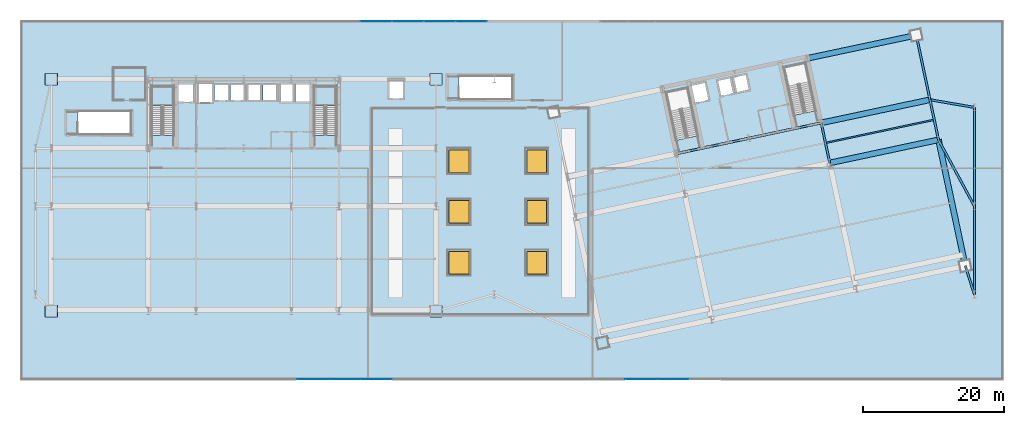
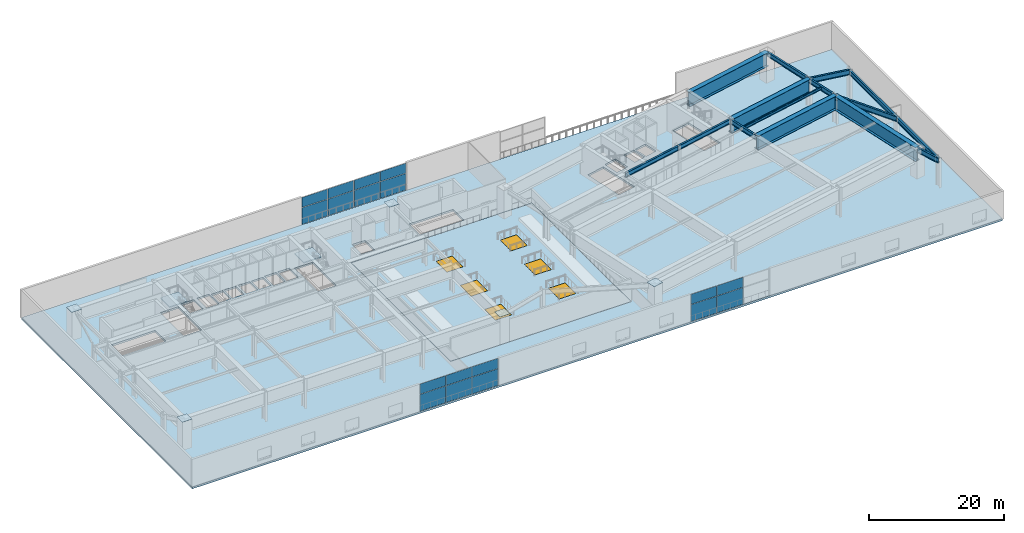
# One storey, part 14 of 29: 23 plates, 15 beams, 6 windows, 4 slabs, 6 openings, 6 elements without a shape of their own.
"""IFC4 building model written with IfcOpenShell, lengths in metres."""

from ifc_helpers import new_model, si_unit, direction, frame, origin, origin_2d, place, context, subcontext, project, spatial, polyline, rectangle, i_section, outline, extrude, material, layer, layer_set, material_profile, profile_set, type_object, element, fill, aggregate, save


model = new_model("IFC4")

# Units and contexts
model_context = context("Model", 3, precision=1e-05, world=origin(), true_north=direction((0.0, 1.0)))
body_context = subcontext(model_context, "Body", "Model", "MODEL_VIEW")
ifc_project = project(units=[si_unit("LENGTHUNIT", "METRE"), si_unit("AREAUNIT", "SQUARE_METRE"), si_unit("VOLUMEUNIT", "CUBIC_METRE"), si_unit("PLANEANGLEUNIT", "RADIAN"), si_unit("MASSUNIT", "GRAM", prefix="KILO")], contexts=[model_context])

# Site, building, storey
site_placement = place(None, origin())
site = spatial("IfcSite", under=ifc_project, at=site_placement, CompositionType="ELEMENT")
building_placement = place(site_placement, origin())
building = spatial("IfcBuilding", under=site, at=building_placement, Name="Haevon Station Towers", CompositionType="ELEMENT")
storey_placement = place(building_placement, frame((0.0, 0.0, 25.199951171875)))
storey = spatial("IfcBuildingStorey", under=building, at=storey_placement, Name="L05", CompositionType="ELEMENT", Elevation=25.199951171875)

# Beams
ifc_material_1 = material(Name="Steel S355", Category="steel")
ifc_material_profile_1 = material_profile(ifc_material_1, i_section(OverallWidth=0.199951171875, OverallDepth=0.449951171875, WebThickness=0.009033203125, FlangeThickness=0.013916015625, at=origin_2d()), Name="H-450x200x9x14")
ifc_profile_set_1 = profile_set([ifc_material_profile_1], Name="Steel S355")
beam_type_1 = type_object("IfcBeamType", Name="BM-J450", PredefinedType="JOIST", material=ifc_profile_set_1)
beam_1_placement = place(storey_placement, frame((120.00390625, 38.994873046875, 4.925048828125), z_axis=(0.978149141128, 0.207904443699, 0.0), x_axis=(-0.207904443699, 0.978149141128, 0.0)))
element("IfcBeam", 1, at=beam_1_placement, inside=storey, type_object=beam_type_1, Name="BM-T2J-L05-02-03", PredefinedType="JOIST", context=body_context, shape_type="SweptSolid", body=[
    extrude(i_section(OverallWidth=0.199951171875, OverallDepth=0.449951171875, WebThickness=0.009033203125, FlangeThickness=0.013916015625, at=origin_2d()), origin(), (0.0, 0.0, 1.0), 15.530029296875),
])
ifc_material_profile_2 = material_profile(ifc_material_1, i_section(OverallWidth=0.300048828125, OverallDepth=0.800048828125, WebThickness=0.013916015625, FlangeThickness=0.02587890625, at=origin_2d()), Name="H-800x300x14x26")
ifc_profile_set_2 = profile_set([ifc_material_profile_2], Name="Steel S355")
beam_type_2 = type_object("IfcBeamType", Name="BM-PG800", PredefinedType="BEAM", material=ifc_profile_set_2)
for number, where, z_axis, x_axis, name in (
    (2, (98.75244140625, 37.4423828125, 4.75), (0.978146794194, 0.207915485254, 0.0), (-0.207915485254, 0.978146794194, 0.0), "BM-T2U-L05-03-02"),
    (3, (109.02294921875, 39.62548828125, 4.75), (0.978146794194, 0.207915485254, 0.0), (-0.207915485254, 0.978146794194, 0.0), "BM-T2U-L05-03-03"),
):
    element("IfcBeam", number, at=place(storey_placement, frame(where, z_axis=z_axis, x_axis=x_axis)), inside=storey, type_object=beam_type_2, Name=name, PredefinedType="BEAM", context=body_context, shape_type="SweptSolid", body=[
        extrude(i_section(OverallWidth=0.300048828125, OverallDepth=0.800048828125, WebThickness=0.013916015625, FlangeThickness=0.02587890625, at=origin_2d()), origin(), (0.0, 0.0, 1.0), 10.5),
    ])
for number, where, z_axis, x_axis, name in (
    (4, (120.499267578125, 36.13525390625, 4.75), (-0.207896009217, 0.97815093383, 0.0), (-0.97815093383, -0.207896009217, 0.0), "BM-T2V-L05-04-02"),
    (5, (135.9052734375, 39.409912109375, 4.75), (-0.207936282142, 0.978142373363, 0.0), (-0.978142373363, -0.207936282142, 0.0), "BM-T2V-L05-05-02"),
):
    element("IfcBeam", number, at=place(storey_placement, frame(where, z_axis=z_axis, x_axis=x_axis)), inside=storey, type_object=beam_type_2, Name=name, PredefinedType="BEAM", context=body_context, shape_type="SweptSolid", body=[
        extrude(i_section(OverallWidth=0.300048828125, OverallDepth=0.800048828125, WebThickness=0.013916015625, FlangeThickness=0.02587890625, at=origin_2d()), origin(), (0.0, 0.0, 1.0), 5.800048828125),
    ])
beam_2_placement = place(storey_placement, frame((134.69921875, 45.083251953125, 4.75), z_axis=(-0.207902477038, 0.978149559138, 0.0), x_axis=(-0.978149559138, -0.207902477038, 0.0)))
element("IfcBeam", 6, at=beam_2_placement, inside=storey, type_object=beam_type_2, Name="BM-T2V-L05-05-03", PredefinedType="BEAM", context=body_context, shape_type="SweptSolid", body=[
    extrude(i_section(OverallWidth=0.300048828125, OverallDepth=0.800048828125, WebThickness=0.013916015625, FlangeThickness=0.02587890625, at=origin_2d()), origin(), (0.0, 0.0, 1.0), 9.349853515625),
])
beam_3_placement = place(storey_placement, frame((141.0, 17.5, 4.75), z_axis=(0.0, 1.0, 0.0), x_axis=(-1.0, 0.0, 0.0)))
element("IfcBeam", 7, at=beam_3_placement, inside=storey, type_object=beam_type_2, Name="BM-PODNS-L05-E1", PredefinedType="BEAM", context=body_context, shape_type="SweptSolid", body=[
    extrude(i_section(OverallWidth=0.300048828125, OverallDepth=0.800048828125, WebThickness=0.013916015625, FlangeThickness=0.02587890625, at=origin_2d()), origin(), (0.0, 0.0, 1.0), 12.5),
])
beam_4_placement = place(storey_placement, frame((141.0, 30.0, 4.75), z_axis=(0.0, 1.0, 0.0), x_axis=(-1.0, 0.0, 0.0)))
element("IfcBeam", 8, at=beam_4_placement, inside=storey, type_object=beam_type_2, Name="BM-PODNS-L05-E2", PredefinedType="BEAM", context=body_context, shape_type="SweptSolid", body=[
    extrude(i_section(OverallWidth=0.300048828125, OverallDepth=0.800048828125, WebThickness=0.013916015625, FlangeThickness=0.02587890625, at=origin_2d()), origin(), (0.0, 0.0, 1.0), 14.0),
])
ifc_material_profile_3 = material_profile(ifc_material_1, i_section(OverallWidth=0.300048828125, OverallDepth=0.89990234375, WebThickness=0.01611328125, FlangeThickness=0.028076171875, at=origin_2d()), Name="H-900x300x16x28")
ifc_profile_set_3 = profile_set([ifc_material_profile_3], Name="Steel S355")
beam_type_3 = type_object("IfcBeamType", Name="BM-PG900", PredefinedType="BEAM", material=ifc_profile_set_3)
beam_5_placement = place(storey_placement, frame((139.699462890625, 21.558837890625, 4.699951171875), z_axis=(0.305139430983, -0.952307685393, 0.0), x_axis=(0.952307685393, 0.305139430983, 0.0)))
element("IfcBeam", 9, at=beam_5_placement, inside=storey, type_object=beam_type_3, Name="BM-PODE-L05-1", PredefinedType="BEAM", context=body_context, shape_type="SweptSolid", body=[
    extrude(i_section(OverallWidth=0.300048828125, OverallDepth=0.89990234375, WebThickness=0.01611328125, FlangeThickness=0.028076171875, at=origin_2d()), origin(), (0.0, 0.0, 1.0), 4.26220703125),
])
beam_6_placement = place(storey_placement, frame((135.9052734375, 39.409912109375, 4.699951171875), z_axis=(0.476116295025, -0.879382325051, 0.0), x_axis=(0.879382325051, 0.476116295025, 0.0)))
element("IfcBeam", 10, at=beam_6_placement, inside=storey, type_object=beam_type_3, Name="BM-PODE-L05-2", PredefinedType="BEAM", context=body_context, shape_type="SweptSolid", body=[
    extrude(i_section(OverallWidth=0.300048828125, OverallDepth=0.89990234375, WebThickness=0.01611328125, FlangeThickness=0.028076171875, at=origin_2d()), origin(), (0.0, 0.0, 1.0), 10.70068359375),
])
beam_7_placement = place(storey_placement, frame((134.69921875, 45.083251953125, 4.699951171875), z_axis=(0.985540920751, -0.169437580028, 0.0), x_axis=(0.169437580028, 0.985540920751, 0.0)))
element("IfcBeam", 11, at=beam_7_placement, inside=storey, type_object=beam_type_3, Name="BM-PODE-L05-3", PredefinedType="BEAM", context=body_context, shape_type="SweptSolid", body=[
    extrude(i_section(OverallWidth=0.300048828125, OverallDepth=0.89990234375, WebThickness=0.01611328125, FlangeThickness=0.028076171875, at=origin_2d()), origin(), (0.0, 0.0, 1.0), 6.393310546875),
])
ifc_material_2 = material(Name="Steel S460", Category="steel")
ifc_material_profile_4 = material_profile(ifc_material_2, i_section(OverallWidth=0.800048828125, OverallDepth=2.5, WebThickness=0.031982421875, FlangeThickness=0.0400390625, at=origin_2d()), Name="H-2500x800x32x40")
ifc_profile_set_4 = profile_set([ifc_material_profile_4], Name="Steel S460")
beam_type_4 = type_object("IfcBeamType", Name="BM-TG2500", PredefinedType="BEAM", material=ifc_profile_set_4)
beam_8_placement = place(storey_placement, frame((120.499267578125, 36.13525390625, 3.900146484375), z_axis=(0.978147464271, 0.207912332825, 0.0), x_axis=(-0.207912332825, 0.978147464271, 0.0)))
element("IfcBeam", 12, at=beam_8_placement, inside=storey, type_object=beam_type_4, Name="BM-T2U-L05-02-04", PredefinedType="BEAM", context=body_context, shape_type="SweptSolid", body=[
    extrude(i_section(OverallWidth=0.800048828125, OverallDepth=2.5, WebThickness=0.031982421875, FlangeThickness=0.0400390625, at=origin_2d()), origin(), (0.0, 0.0, 1.0), 15.750244140625),
])
beam_9_placement = place(storey_placement, frame((119.29345703125, 41.80859375, 3.900146484375), z_axis=(0.978146794194, 0.207915485254, 0.0), x_axis=(-0.207915485254, 0.978146794194, 0.0)))
element("IfcBeam", 13, at=beam_9_placement, inside=storey, type_object=beam_type_4, Name="BM-T2U-L05-03-04", PredefinedType="BEAM", context=body_context, shape_type="SweptSolid", body=[
    extrude(i_section(OverallWidth=0.800048828125, OverallDepth=2.5, WebThickness=0.031982421875, FlangeThickness=0.0400390625, at=origin_2d()), origin(), (0.0, 0.0, 1.0), 15.75),
])
beam_10_placement = place(storey_placement, frame((117.349365234375, 50.954345703125, 3.900146484375), z_axis=(0.978150616551, 0.207897502008, 0.0), x_axis=(-0.207897502008, 0.978150616551, 0.0)))
element("IfcBeam", 14, at=beam_10_placement, inside=storey, type_object=beam_type_4, Name="BM-T2U-L05-04-04", PredefinedType="BEAM", context=body_context, shape_type="SweptSolid", body=[
    extrude(i_section(OverallWidth=0.800048828125, OverallDepth=2.5, WebThickness=0.031982421875, FlangeThickness=0.0400390625, at=origin_2d()), origin(), (0.0, 0.0, 1.0), 15.750244140625),
])
beam_11_placement = place(storey_placement, frame((139.699462890625, 21.558837890625, 3.900146484375), z_axis=(-0.207902594577, 0.978149534155, 0.0), x_axis=(-0.978149534155, -0.207902594577, 0.0)))
element("IfcBeam", 15, at=beam_11_placement, inside=storey, type_object=beam_type_4, Name="BM-T2V-L05-05-01", PredefinedType="BEAM", context=body_context, shape_type="SweptSolid", body=[
    extrude(i_section(OverallWidth=0.800048828125, OverallDepth=2.5, WebThickness=0.031982421875, FlangeThickness=0.0400390625, at=origin_2d()), origin(), (0.0, 0.0, 1.0), 18.249755859375),
])

# Curtain wall, plates
ifc_material_3 = material(Name="Anodised aluminium and Low-E double glazing", Category="aluminium")
ifc_layer_1 = layer(ifc_material_3, 0.179931640625)
ifc_layer_set_1 = layer_set([ifc_layer_1], Name="Anodised aluminium and Low-E double glazing")
curtain_wall_type = type_object("IfcCurtainWallType", Name="CW-SYS3", PredefinedType="NOTDEFINED", material=ifc_layer_set_1)
curtain_wall_1_placement = place(storey_placement, origin())
curtain_wall_1 = element("IfcCurtainWall", 16, at=curtain_wall_1_placement, inside=storey, type_object=curtain_wall_type, Name="L05 Curtain Wall CW-POD-L05-S1", PredefinedType="NOTDEFINED")
ifc_material_4 = material(Name="Low-E double glazing", Category="glass")
ifc_layer_2 = layer(ifc_material_4, 0.028076171875)
ifc_layer_set_2 = layer_set([ifc_layer_2], Name="Low-E double glazing")
plate_type_1 = type_object("IfcPlateType", Name="CWP-GLZ28", PredefinedType="CURTAIN_PANEL", material=ifc_layer_set_2)
plate_1_placement = place(storey_placement, frame((98.25, 5.5, 0.06494140625), z_axis=(0.0, 0.0, 1.0), x_axis=(-1.0, 0.0, 0.0)))
plate_1 = element("IfcPlate", 17, at=plate_1_placement, type_object=plate_type_1, Name="CW-SYS3 panel 2.1", PredefinedType="CURTAIN_PANEL", context=body_context, shape_type="SweptSolid", body=[
    extrude(rectangle(XDim=4.43505859375, YDim=0.028076171875, at=origin_2d()), origin(), (0.0, 0.0, 1.0), 3.033447265625),
])
plate_2_placement = place(storey_placement, frame((98.25, 5.5, 3.16357421875), z_axis=(0.0, 0.0, 1.0), x_axis=(-1.0, 0.0, 0.0)))
plate_2 = element("IfcPlate", 18, at=plate_2_placement, type_object=plate_type_1, Name="CW-SYS3 panel 2.2", PredefinedType="CURTAIN_PANEL", context=body_context, shape_type="SweptSolid", body=[
    extrude(rectangle(XDim=4.43505859375, YDim=0.028076171875, at=origin_2d()), origin(), (0.0, 0.0, 1.0), 1.821533203125),
])
plate_3_placement = place(storey_placement, frame((93.766357421875, 5.5, 0.06494140625), z_axis=(0.0, 0.0, 1.0), x_axis=(-1.0, 0.0, 0.0)))
plate_3 = element("IfcPlate", 19, at=plate_3_placement, type_object=plate_type_1, Name="CW-SYS3 panel 3.1", PredefinedType="CURTAIN_PANEL", context=body_context, shape_type="SweptSolid", body=[
    extrude(rectangle(XDim=4.402587890625, YDim=0.028076171875, at=origin_2d()), origin(), (0.0, 0.0, 1.0), 3.033447265625),
])
plate_4_placement = place(storey_placement, frame((93.766357421875, 5.5, 3.16357421875), z_axis=(0.0, 0.0, 1.0), x_axis=(-1.0, 0.0, 0.0)))
plate_4 = element("IfcPlate", 20, at=plate_4_placement, type_object=plate_type_1, Name="CW-SYS3 panel 3.2", PredefinedType="CURTAIN_PANEL", context=body_context, shape_type="SweptSolid", body=[
    extrude(rectangle(XDim=4.402587890625, YDim=0.028076171875, at=origin_2d()), origin(), (0.0, 0.0, 1.0), 1.821533203125),
])
aggregate(curtain_wall_1, [plate_1, plate_2, plate_3, plate_4])

curtain_wall_2_placement = place(storey_placement, origin())
curtain_wall_2 = element("IfcCurtainWall", 21, at=curtain_wall_2_placement, inside=storey, type_object=curtain_wall_type, Name="L05 Curtain Wall CW-POD-L05-S2", PredefinedType="NOTDEFINED")
plate_5_placement = place(storey_placement, frame((56.233642578125, 5.5, 0.06494140625), z_axis=(0.0, 0.0, 1.0), x_axis=(-1.0, 0.0, 0.0)))
plate_5 = element("IfcPlate", 22, at=plate_5_placement, type_object=plate_type_1, Name="CW-SYS3 panel 1.1", PredefinedType="CURTAIN_PANEL", context=body_context, shape_type="SweptSolid", body=[
    extrude(rectangle(XDim=4.402587890625, YDim=0.028076171875, at=origin_2d()), origin(), (0.0, 0.0, 1.0), 3.033447265625),
])
plate_6_placement = place(storey_placement, frame((56.233642578125, 5.5, 3.16357421875), z_axis=(0.0, 0.0, 1.0), x_axis=(-1.0, 0.0, 0.0)))
plate_6 = element("IfcPlate", 23, at=plate_6_placement, type_object=plate_type_1, Name="CW-SYS3 panel 1.2", PredefinedType="CURTAIN_PANEL", context=body_context, shape_type="SweptSolid", body=[
    extrude(rectangle(XDim=4.402587890625, YDim=0.028076171875, at=origin_2d()), origin(), (0.0, 0.0, 1.0), 1.821533203125),
])
plate_7_placement = place(storey_placement, frame((51.75, 5.5, 0.06494140625), z_axis=(0.0, 0.0, 1.0), x_axis=(-1.0, 0.0, 0.0)))
plate_7 = element("IfcPlate", 24, at=plate_7_placement, type_object=plate_type_1, Name="CW-SYS3 panel 2.1", PredefinedType="CURTAIN_PANEL", context=body_context, shape_type="SweptSolid", body=[
    extrude(rectangle(XDim=4.43505859375, YDim=0.028076171875, at=origin_2d()), origin(), (0.0, 0.0, 1.0), 3.033447265625),
])
plate_8_placement = place(storey_placement, frame((51.75, 5.5, 3.16357421875), z_axis=(0.0, 0.0, 1.0), x_axis=(-1.0, 0.0, 0.0)))
plate_8 = element("IfcPlate", 25, at=plate_8_placement, type_object=plate_type_1, Name="CW-SYS3 panel 2.2", PredefinedType="CURTAIN_PANEL", context=body_context, shape_type="SweptSolid", body=[
    extrude(rectangle(XDim=4.43505859375, YDim=0.028076171875, at=origin_2d()), origin(), (0.0, 0.0, 1.0), 1.821533203125),
])
plate_9_placement = place(storey_placement, frame((47.266357421875, 5.5, 0.06494140625), z_axis=(0.0, 0.0, 1.0), x_axis=(-1.0, 0.0, 0.0)))
plate_9 = element("IfcPlate", 26, at=plate_9_placement, type_object=plate_type_1, Name="CW-SYS3 panel 3.1", PredefinedType="CURTAIN_PANEL", context=body_context, shape_type="SweptSolid", body=[
    extrude(rectangle(XDim=4.402587890625, YDim=0.028076171875, at=origin_2d()), origin(), (0.0, 0.0, 1.0), 3.033447265625),
])
plate_10_placement = place(storey_placement, frame((47.266357421875, 5.5, 3.16357421875), z_axis=(0.0, 0.0, 1.0), x_axis=(-1.0, 0.0, 0.0)))
plate_10 = element("IfcPlate", 27, at=plate_10_placement, type_object=plate_type_1, Name="CW-SYS3 panel 3.2", PredefinedType="CURTAIN_PANEL", context=body_context, shape_type="SweptSolid", body=[
    extrude(rectangle(XDim=4.402587890625, YDim=0.028076171875, at=origin_2d()), origin(), (0.0, 0.0, 1.0), 1.821533203125),
])
aggregate(curtain_wall_2, [plate_5, plate_6, plate_7, plate_8, plate_9, plate_10])

curtain_wall_3_placement = place(storey_placement, origin())
curtain_wall_3 = element("IfcCurtainWall", 28, at=curtain_wall_3_placement, inside=storey, type_object=curtain_wall_type, Name="L05 Curtain Wall CW-POD-L05-N1", PredefinedType="NOTDEFINED")
plate_11_placement = place(storey_placement, frame((56.266357421875, 56.199951171875, 0.065185546875), z_axis=(0.0, 0.0, 1.0), x_axis=(1.0, 0.0, 0.0)))
plate_11 = element("IfcPlate", 29, at=plate_11_placement, type_object=plate_type_1, Name="CW-SYS3 panel 1.1", PredefinedType="CURTAIN_PANEL", context=body_context, shape_type="SweptSolid", body=[
    extrude(rectangle(XDim=4.402587890625, YDim=0.028076171875, at=origin_2d()), origin(), (0.0, 0.0, 1.0), 3.00244140625),
])
plate_12_placement = place(storey_placement, frame((56.266357421875, 56.199951171875, 3.13232421875), z_axis=(0.0, 0.0, 1.0), x_axis=(1.0, 0.0, 0.0)))
plate_12 = element("IfcPlate", 30, at=plate_12_placement, type_object=plate_type_1, Name="CW-SYS3 panel 1.2", PredefinedType="CURTAIN_PANEL", context=body_context, shape_type="SweptSolid", body=[
    extrude(rectangle(XDim=4.402587890625, YDim=0.028076171875, at=origin_2d()), origin(), (0.0, 0.0, 1.0), 1.802490234375),
])
plate_13_placement = place(storey_placement, frame((60.733642578125, 56.199951171875, 0.065185546875), z_axis=(0.0, 0.0, 1.0), x_axis=(1.0, 0.0, 0.0)))
plate_13 = element("IfcPlate", 31, at=plate_13_placement, type_object=plate_type_1, Name="CW-SYS3 panel 2.1", PredefinedType="CURTAIN_PANEL", context=body_context, shape_type="SweptSolid", body=[
    extrude(rectangle(XDim=4.402587890625, YDim=0.028076171875, at=origin_2d()), origin(), (0.0, 0.0, 1.0), 3.00244140625),
])
plate_14_placement = place(storey_placement, frame((60.733642578125, 56.199951171875, 3.13232421875), z_axis=(0.0, 0.0, 1.0), x_axis=(1.0, 0.0, 0.0)))
plate_14 = element("IfcPlate", 32, at=plate_14_placement, type_object=plate_type_1, Name="CW-SYS3 panel 2.2", PredefinedType="CURTAIN_PANEL", context=body_context, shape_type="SweptSolid", body=[
    extrude(rectangle(XDim=4.402587890625, YDim=0.028076171875, at=origin_2d()), origin(), (0.0, 0.0, 1.0), 1.802490234375),
])
aggregate(curtain_wall_3, [plate_11, plate_12, plate_13, plate_14])

curtain_wall_4_placement = place(storey_placement, origin())
curtain_wall_4 = element("IfcCurtainWall", 33, at=curtain_wall_4_placement, inside=storey, type_object=curtain_wall_type, Name="L05 Curtain Wall CW-POD-L05-N2", PredefinedType="NOTDEFINED")
plate_15_placement = place(storey_placement, frame((65.266357421875, 56.199951171875, 0.065185546875), z_axis=(0.0, 0.0, 1.0), x_axis=(1.0, 0.0, 0.0)))
plate_15 = element("IfcPlate", 34, at=plate_15_placement, type_object=plate_type_1, Name="CW-SYS3 panel 1.1", PredefinedType="CURTAIN_PANEL", context=body_context, shape_type="SweptSolid", body=[
    extrude(rectangle(XDim=4.402587890625, YDim=0.028076171875, at=origin_2d()), origin(), (0.0, 0.0, 1.0), 3.00244140625),
])
plate_16_placement = place(storey_placement, frame((65.266357421875, 56.199951171875, 3.13232421875), z_axis=(0.0, 0.0, 1.0), x_axis=(1.0, 0.0, 0.0)))
plate_16 = element("IfcPlate", 35, at=plate_16_placement, type_object=plate_type_1, Name="CW-SYS3 panel 1.2", PredefinedType="CURTAIN_PANEL", context=body_context, shape_type="SweptSolid", body=[
    extrude(rectangle(XDim=4.402587890625, YDim=0.028076171875, at=origin_2d()), origin(), (0.0, 0.0, 1.0), 1.802490234375),
])
plate_17_placement = place(storey_placement, frame((69.733642578125, 56.199951171875, 0.065185546875), z_axis=(0.0, 0.0, 1.0), x_axis=(1.0, 0.0, 0.0)))
plate_17 = element("IfcPlate", 36, at=plate_17_placement, type_object=plate_type_1, Name="CW-SYS3 panel 2.1", PredefinedType="CURTAIN_PANEL", context=body_context, shape_type="SweptSolid", body=[
    extrude(rectangle(XDim=4.402587890625, YDim=0.028076171875, at=origin_2d()), origin(), (0.0, 0.0, 1.0), 3.00244140625),
])
plate_18_placement = place(storey_placement, frame((69.733642578125, 56.199951171875, 3.13232421875), z_axis=(0.0, 0.0, 1.0), x_axis=(1.0, 0.0, 0.0)))
plate_18 = element("IfcPlate", 37, at=plate_18_placement, type_object=plate_type_1, Name="CW-SYS3 panel 2.2", PredefinedType="CURTAIN_PANEL", context=body_context, shape_type="SweptSolid", body=[
    extrude(rectangle(XDim=4.402587890625, YDim=0.028076171875, at=origin_2d()), origin(), (0.0, 0.0, 1.0), 1.802490234375),
])
aggregate(curtain_wall_4, [plate_15, plate_16, plate_17, plate_18])

# Plates
ifc_material_5 = material(Name="PL-FLG1", Category="steel")
ifc_layer_3 = layer(ifc_material_5, 0.044921875)
ifc_layer_set_3 = layer_set([ifc_layer_3], Name="PL-FLG1")
plate_type_2 = type_object("IfcPlateType", Name="PL-FLG1", PredefinedType="USERDEFINED", material=ifc_layer_set_3)
for number, where, z_axis, x_axis, name in (
    (38, (10.25, 15.14990234375, 5.150146484375), (0.0, 0.0, 1.0), (1.0, 0.0, 0.0), "PL-CAP-T1-L05-01-01"),
    (39, (10.25, 48.0, 5.150146484375), (0.0, 0.0, 1.0), (1.0, 0.0, 0.0), "PL-CAP-T1-L05-01-04"),
    (40, (64.75, 15.14990234375, 5.150146484375), (0.0, 0.0, 1.0), (1.0, 0.0, 0.0), "PL-CAP-T1-L05-07-01"),
    (41, (64.75, 48.0, 5.150146484375), (0.0, 0.0, 1.0), (1.0, 0.0, 0.0), "PL-CAP-T1-L05-07-04"),
    (42, (88.346923828125, 10.643310546875, 5.150146484375), (0.0, 0.0, 1.0), (0.978147600734, 0.207911690818, 0.0), "PL-CAP-T2-L05-01-01"),
):
    element("IfcPlate", number, at=place(storey_placement, frame(where, z_axis=z_axis, x_axis=x_axis)), inside=storey, type_object=plate_type_2, Name=name, ObjectType="FLANGE_PLATE", PredefinedType="USERDEFINED", context=body_context, shape_type="SweptSolid", body=[
        extrude(rectangle(XDim=1.739990234375, YDim=1.639892578125, at=origin_2d()), origin(), (0.0, 0.0, 1.0), 0.0400390625),
    ])

# Stair, slab
ifc_material_6 = material(Name="Concrete C40/50", Category="concrete")
stair_type = type_object("IfcStairType", Name="STR-DL1450", PredefinedType="USERDEFINED", material=ifc_material_6)
stair_1_placement = place(storey_placement, origin())
stair_1 = element("IfcStair", 43, at=stair_1_placement, inside=storey, type_object=stair_type, Name="L05 Escape Stair ST1", ObjectType="TWO_RETURN_STAIR", PredefinedType="USERDEFINED")
ifc_layer_4 = layer(ifc_material_6, 0.199951171875)
ifc_layer_set_4 = layer_set([ifc_layer_4], Name="Concrete C40/50")
slab_type_1 = type_object("IfcSlabType", Name="SL-LND200", PredefinedType="LANDING", material=ifc_layer_set_4)
slab_1_placement = place(storey_placement, frame((0.0, 0.0, 2.5)))
slab_1 = element("IfcSlab", 44, at=slab_1_placement, type_object=slab_type_1, Name="L05 ST1 Half Landing 1", PredefinedType="LANDING", context=body_context, shape_type="SweptSolid", body=[
    extrude(outline(polyline([(27.580078125, 44.243896484375), (27.580078125, 47.0), (24.47998046875, 47.0), (24.47998046875, 44.243896484375), (27.580078125, 44.243896484375)])), origin(), (0.0, 0.0, 1.0), 0.199951171875),
])
aggregate(stair_1, [slab_1])

stair_2_placement = place(storey_placement, origin())
stair_2 = element("IfcStair", 45, at=stair_2_placement, inside=storey, type_object=stair_type, Name="L05 Escape Stair ST2", ObjectType="TWO_RETURN_STAIR", PredefinedType="USERDEFINED")
slab_2_placement = place(storey_placement, frame((0.0, 0.0, 2.5)))
slab_2 = element("IfcSlab", 46, at=slab_2_placement, type_object=slab_type_1, Name="L05 ST2 Half Landing 1", PredefinedType="LANDING", context=body_context, shape_type="SweptSolid", body=[
    extrude(outline(polyline([(50.6201171875, 44.243896484375), (50.6201171875, 47.0), (47.52001953125, 47.0), (47.52001953125, 44.243896484375), (50.6201171875, 44.243896484375)])), origin(), (0.0, 0.0, 1.0), 0.199951171875),
])
aggregate(stair_2, [slab_2])

# Slab, openings, windows
ifc_layer_5 = layer(ifc_material_6, 0.25)
ifc_layer_set_5 = layer_set([ifc_layer_5], Name="Concrete C40/50")
slab_type_2 = type_object("IfcSlabType", Name="SL-TERR250", PredefinedType="FLOOR", material=ifc_layer_set_5)
slab_3_placement = place(storey_placement, frame((0.0, 0.0, -0.25)))
slab_3 = element("IfcSlab", 47, at=slab_3_placement, inside=storey, type_object=slab_type_2, Name="L05 Outdoor Terrace POD-ROOF-GARDEN-L05", PredefinedType="FLOOR", context=body_context, shape_type="SweptSolid", body=[
    extrude(outline(polyline([(55.5048828125, 14.5048828125), (86.4951171875, 14.5048828125), (86.4951171875, 43.9951171875), (55.5048828125, 43.9951171875), (55.5048828125, 14.5048828125)])), origin(), (0.0, 0.0, 1.0), 0.25),
])
opening_1_placement = place(slab_3_placement, frame((68.0, 22.0, -0.010009765625)))
opening_1 = element("IfcOpeningElement", 48, at=opening_1_placement, cuts=slab_3, Name="Opening WN-L05-SKY-01", PredefinedType="OPENING", context=body_context, shape_type="SweptSolid", body=[
    extrude(rectangle(XDim=2.800048828125, YDim=3.199951171875, at=origin_2d()), origin(), (0.0, 0.0, 1.0), 0.27001953125),
])
opening_2_placement = place(slab_3_placement, frame((79.0, 22.0, -0.010009765625)))
opening_2 = element("IfcOpeningElement", 49, at=opening_2_placement, cuts=slab_3, Name="Opening WN-L05-SKY-02", PredefinedType="OPENING", context=body_context, shape_type="SweptSolid", body=[
    extrude(rectangle(XDim=2.800048828125, YDim=3.199951171875, at=origin_2d()), origin(), (0.0, 0.0, 1.0), 0.27001953125),
])
opening_3_placement = place(slab_3_placement, frame((68.0, 29.199951171875, -0.010009765625)))
opening_3 = element("IfcOpeningElement", 50, at=opening_3_placement, cuts=slab_3, Name="Opening WN-L05-SKY-03", PredefinedType="OPENING", context=body_context, shape_type="SweptSolid", body=[
    extrude(rectangle(XDim=2.800048828125, YDim=3.199951171875, at=origin_2d()), origin(), (0.0, 0.0, 1.0), 0.27001953125),
])
opening_4_placement = place(slab_3_placement, frame((79.0, 29.199951171875, -0.010009765625)))
opening_4 = element("IfcOpeningElement", 51, at=opening_4_placement, cuts=slab_3, Name="Opening WN-L05-SKY-04", PredefinedType="OPENING", context=body_context, shape_type="SweptSolid", body=[
    extrude(rectangle(XDim=2.800048828125, YDim=3.199951171875, at=origin_2d()), origin(), (0.0, 0.0, 1.0), 0.27001953125),
])
opening_5_placement = place(slab_3_placement, frame((68.0, 36.39990234375, -0.010009765625)))
opening_5 = element("IfcOpeningElement", 52, at=opening_5_placement, cuts=slab_3, Name="Opening WN-L05-SKY-05", PredefinedType="OPENING", context=body_context, shape_type="SweptSolid", body=[
    extrude(rectangle(XDim=2.800048828125, YDim=3.199951171875, at=origin_2d()), origin(), (0.0, 0.0, 1.0), 0.27001953125),
])
opening_6_placement = place(slab_3_placement, frame((79.0, 36.39990234375, -0.010009765625)))
opening_6 = element("IfcOpeningElement", 53, at=opening_6_placement, cuts=slab_3, Name="Opening WN-L05-SKY-06", PredefinedType="OPENING", context=body_context, shape_type="SweptSolid", body=[
    extrude(rectangle(XDim=2.800048828125, YDim=3.199951171875, at=origin_2d()), origin(), (0.0, 0.0, 1.0), 0.27001953125),
])
ifc_material_7 = material(Name="Low-E triple glazing in thermally broken aluminium", Category="aluminium")
window_type = type_object("IfcWindowType", Name="WN-SKY280", PartitioningType="SINGLE_PANEL", PredefinedType="SKYLIGHT", material=ifc_material_7)
window_1_placement = place(slab_3_placement, frame((68.0, 22.0, 0.199951171875)))
window_1 = element("IfcWindow", 54, at=window_1_placement, inside=storey, type_object=window_type, Name="L05 Station Concourse Rooflight SKYLIGHT 01", OverallHeight=3.199951171875, OverallWidth=2.800048828125, PartitioningType="SINGLE_PANEL", PredefinedType="SKYLIGHT", context=body_context, shape_type="SweptSolid", body=[
    extrude(rectangle(XDim=2.800048828125, YDim=3.199951171875, at=origin_2d()), origin(), (0.0, 0.0, 1.0), 0.050048828125),
])
fill(opening_1, window_1)
window_2_placement = place(slab_3_placement, frame((79.0, 22.0, 0.199951171875)))
window_2 = element("IfcWindow", 55, at=window_2_placement, inside=storey, type_object=window_type, Name="L05 Station Concourse Rooflight SKYLIGHT 02", OverallHeight=3.199951171875, OverallWidth=2.800048828125, PartitioningType="SINGLE_PANEL", PredefinedType="SKYLIGHT", context=body_context, shape_type="SweptSolid", body=[
    extrude(rectangle(XDim=2.800048828125, YDim=3.199951171875, at=origin_2d()), origin(), (0.0, 0.0, 1.0), 0.050048828125),
])
fill(opening_2, window_2)
window_3_placement = place(slab_3_placement, frame((68.0, 29.199951171875, 0.199951171875)))
window_3 = element("IfcWindow", 56, at=window_3_placement, inside=storey, type_object=window_type, Name="L05 Station Concourse Rooflight SKYLIGHT 03", OverallHeight=3.199951171875, OverallWidth=2.800048828125, PartitioningType="SINGLE_PANEL", PredefinedType="SKYLIGHT", context=body_context, shape_type="SweptSolid", body=[
    extrude(rectangle(XDim=2.800048828125, YDim=3.199951171875, at=origin_2d()), origin(), (0.0, 0.0, 1.0), 0.050048828125),
])
fill(opening_3, window_3)
window_4_placement = place(slab_3_placement, frame((79.0, 29.199951171875, 0.199951171875)))
window_4 = element("IfcWindow", 57, at=window_4_placement, inside=storey, type_object=window_type, Name="L05 Station Concourse Rooflight SKYLIGHT 04", OverallHeight=3.199951171875, OverallWidth=2.800048828125, PartitioningType="SINGLE_PANEL", PredefinedType="SKYLIGHT", context=body_context, shape_type="SweptSolid", body=[
    extrude(rectangle(XDim=2.800048828125, YDim=3.199951171875, at=origin_2d()), origin(), (0.0, 0.0, 1.0), 0.050048828125),
])
fill(opening_4, window_4)
window_5_placement = place(slab_3_placement, frame((68.0, 36.39990234375, 0.199951171875)))
window_5 = element("IfcWindow", 58, at=window_5_placement, inside=storey, type_object=window_type, Name="L05 Station Concourse Rooflight SKYLIGHT 05", OverallHeight=3.199951171875, OverallWidth=2.800048828125, PartitioningType="SINGLE_PANEL", PredefinedType="SKYLIGHT", context=body_context, shape_type="SweptSolid", body=[
    extrude(rectangle(XDim=2.800048828125, YDim=3.199951171875, at=origin_2d()), origin(), (0.0, 0.0, 1.0), 0.050048828125),
])
fill(opening_5, window_5)
window_6_placement = place(slab_3_placement, frame((79.0, 36.39990234375, 0.199951171875)))
window_6 = element("IfcWindow", 59, at=window_6_placement, inside=storey, type_object=window_type, Name="L05 Station Concourse Rooflight SKYLIGHT 06", OverallHeight=3.199951171875, OverallWidth=2.800048828125, PartitioningType="SINGLE_PANEL", PredefinedType="SKYLIGHT", context=body_context, shape_type="SweptSolid", body=[
    extrude(rectangle(XDim=2.800048828125, YDim=3.199951171875, at=origin_2d()), origin(), (0.0, 0.0, 1.0), 0.050048828125),
])
fill(opening_6, window_6)

# Slab
ifc_layer_6 = layer(ifc_material_6, 0.35009765625)
ifc_layer_set_6 = layer_set([ifc_layer_6], Name="Concrete C40/50")
slab_type_3 = type_object("IfcSlabType", Name="SL-TRN350", PredefinedType="FLOOR", material=ifc_layer_set_6)
slab_4_placement = place(storey_placement, frame((0.0, 0.0, -0.349853515625)))
element("IfcSlab", 60, at=slab_4_placement, inside=storey, type_object=slab_type_3, Name="SL-POD-L05", PredefinedType="FLOOR", context=body_context, shape_type="SweptSolid", body=[
    extrude(outline(polyline([(6.0, 5.5), (145.0, 5.5), (145.0, 56.199951171875), (6.0, 56.199951171875), (6.0, 5.5)]), holes=[polyline([(55.5, 14.5), (86.5, 14.5), (86.5, 44.0), (55.5, 44.0), (55.5, 14.5)]), polyline([(27.580078125, 40.055908203125), (27.580078125, 47.0), (24.47998046875, 47.0), (24.47998046875, 40.055908203125), (27.580078125, 40.055908203125)]), polyline([(50.6201171875, 40.055908203125), (50.6201171875, 47.0), (47.52001953125, 47.0), (47.52001953125, 40.055908203125), (50.6201171875, 40.055908203125)]), polyline([(101.8095703125, 39.98974609375), (100.36572265625, 46.781982421875), (97.33349609375, 46.137451171875), (98.77734375, 39.34521484375), (101.8095703125, 39.98974609375)]), polyline([(118.496826171875, 43.53662109375), (117.052978515625, 50.328857421875), (114.020751953125, 49.684326171875), (115.464599609375, 42.89208984375), (118.496826171875, 43.53662109375)]), polyline([(14.006103515625, 40.199951171875), (21.5, 40.199951171875), (21.5, 43.39990234375), (14.006103515625, 43.39990234375), (14.006103515625, 40.199951171875)]), polyline([(68.006103515625, 45.199951171875), (75.5, 45.199951171875), (75.5, 48.39990234375), (68.006103515625, 48.39990234375), (68.006103515625, 45.199951171875)]), polyline([(28.300048828125, 44.699951171875), (30.5, 44.699951171875), (30.5, 47.39990234375), (28.300048828125, 47.39990234375), (28.300048828125, 44.699951171875)]), polyline([(101.43212890625, 44.554931640625), (103.486328125, 44.99169921875), (102.9248046875, 47.632568359375), (100.870849609375, 47.196044921875), (101.43212890625, 44.554931640625)]), polyline([(31.050048828125, 44.60009765625), (33.14990234375, 44.60009765625), (33.14990234375, 47.5), (31.050048828125, 47.5), (31.050048828125, 44.60009765625)]), polyline([(33.39990234375, 44.89990234375), (35.39990234375, 44.89990234375), (35.39990234375, 47.300048828125), (33.39990234375, 47.300048828125), (33.39990234375, 44.89990234375)]), polyline([(35.64990234375, 44.89990234375), (37.64990234375, 44.89990234375), (37.64990234375, 47.300048828125), (35.64990234375, 47.300048828125), (35.64990234375, 44.89990234375)]), polyline([(38.0, 44.89990234375), (40.0, 44.89990234375), (40.0, 47.300048828125), (38.0, 47.300048828125), (38.0, 44.89990234375)]), polyline([(40.25, 44.89990234375), (42.25, 44.89990234375), (42.25, 47.300048828125), (40.25, 47.300048828125), (40.25, 44.89990234375)]), polyline([(42.60009765625, 44.699951171875), (44.60009765625, 44.699951171875), (44.60009765625, 47.39990234375), (42.60009765625, 47.39990234375), (42.60009765625, 44.699951171875)]), polyline([(44.85009765625, 44.699951171875), (46.85009765625, 44.699951171875), (46.85009765625, 47.39990234375), (44.85009765625, 47.39990234375), (44.85009765625, 44.699951171875)]), polyline([(105.009765625, 45.519775390625), (106.966064453125, 45.935791015625), (106.467041015625, 48.283203125), (104.5107421875, 47.867431640625), (105.009765625, 45.519775390625)]), polyline([(107.259521484375, 45.998046875), (109.2158203125, 46.413818359375), (108.716796875, 48.761474609375), (106.760498046875, 48.345703125), (107.259521484375, 45.998046875)]), polyline([(58.0, 45.199951171875), (60.199951171875, 45.199951171875), (60.199951171875, 48.0), (58.0, 48.0), (58.0, 45.199951171875)])]), origin(), (0.0, 0.0, 1.0), 0.349853515625),
])

save(model, "model.ifc")
